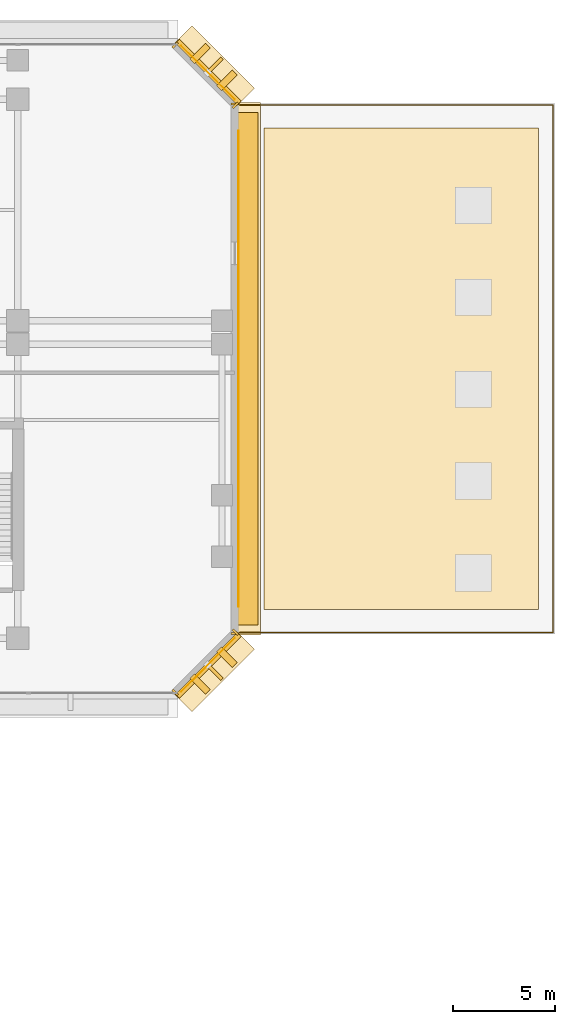
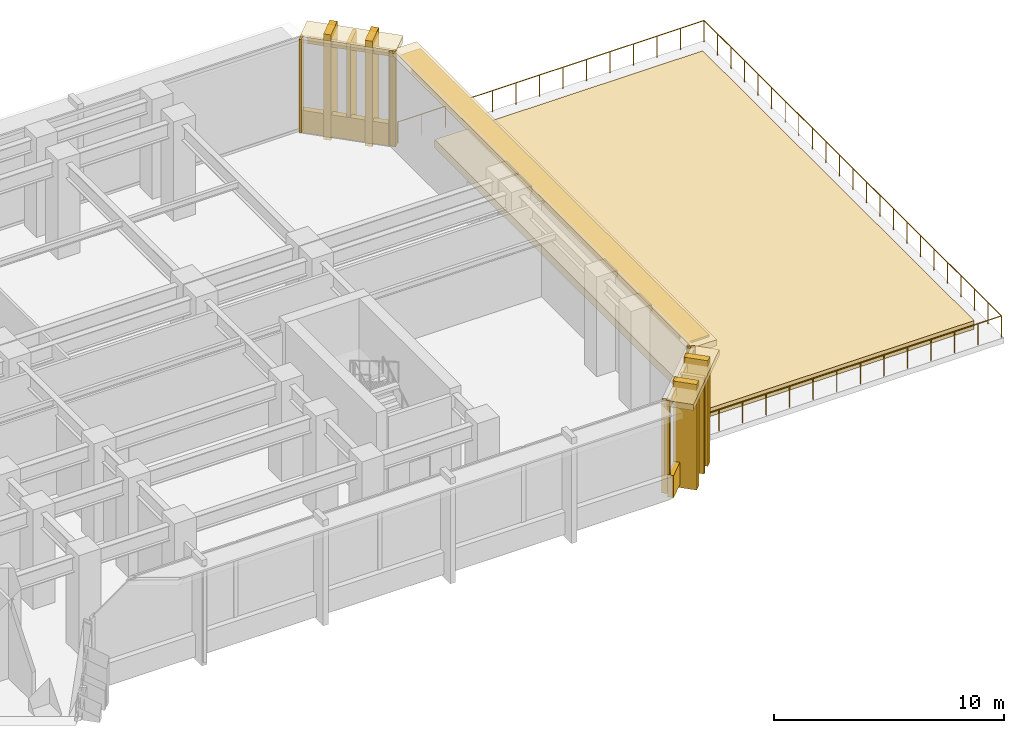
# One storey, part 16 of 16: 19 coverings, 3 shading devices, 1 railing.
"""IFC4 building model written with IfcOpenShell, lengths in metres."""

from ifc_helpers import new_model, si_unit, direction, frame, origin, origin_2d, place, context, subcontext, project, spatial, polyline, rectangle, circle, outline, extrude, material, layer, layer_set, material_profile, profile_set, type_object, element, save


model = new_model("IFC4")

# Units and contexts
model_context = context("Model", 3, precision=1e-05, world=origin(), true_north=direction((0.0, 1.0)))
body_context = subcontext(model_context, "Body", "Model", "MODEL_VIEW")
ifc_project = project(units=[si_unit("LENGTHUNIT", "METRE"), si_unit("AREAUNIT", "SQUARE_METRE"), si_unit("VOLUMEUNIT", "CUBIC_METRE"), si_unit("PLANEANGLEUNIT", "RADIAN"), si_unit("MASSUNIT", "GRAM", prefix="KILO")], contexts=[model_context])

# Site, building, storey
site_placement = place(None, origin())
site = spatial("IfcSite", under=ifc_project, at=site_placement, CompositionType="ELEMENT")
building_placement = place(site_placement, origin())
building = spatial("IfcBuilding", under=site, at=building_placement, Name="Kefirva Bronze Tower", CompositionType="ELEMENT")
storey_placement = place(building_placement, frame((0.0, 0.0, 11.219970703125)))
storey = spatial("IfcBuildingStorey", under=building, at=storey_placement, Name="L02", CompositionType="ELEMENT", Elevation=11.219970703125)

# Coverings
ifc_material_1 = material(Name="Bronze anodised aluminium", Category="aluminium")
ifc_layer_1 = layer(ifc_material_1, 0.02001953125, Name="Bronze anodised aluminium")
ifc_layer_set_1 = layer_set([ifc_layer_1], Name="Bronze anodised aluminium")
covering_type_1 = type_object("IfcCoveringType", Name="Anodised Bronze Spandrel Cladding 20mm", PredefinedType="CLADDING", material=ifc_layer_set_1)
covering_1_placement = place(storey_placement, frame((64.507080078125, 17.492919921875, 4.5400390625), z_axis=(0.0, 0.0, 1.0), x_axis=(0.707106781187, 0.707106781187, 0.0)))
element("IfcCovering", 1, at=covering_1_placement, inside=storey, type_object=covering_type_1, Name="L02 Bronze Spandrel Cladding 4", PredefinedType="CLADDING", context=body_context, shape_type="SweptSolid", body=[
    extrude(rectangle(XDim=3.719482421875, YDim=0.02001953125, at=origin_2d()), origin(), (0.0, 0.0, 1.0), 0.39990234375),
])
for number, where, z_axis, x_axis, name in (
    (2, (62.8974609375, 16.152099609375, 0.0), (0.0, 0.0, 1.0), (0.707106781187, 0.707106781187, 0.0), "L02 Facade Joint Closure Panel 4S"),
    (3, (65.847900390625, 19.1025390625, 0.0), (0.0, 0.0, 1.0), (0.707106781187, 0.707106781187, 0.0), "L02 Facade Joint Closure Panel 4E"),
):
    element("IfcCovering", number, at=place(storey_placement, frame(where, z_axis=z_axis, x_axis=x_axis)), inside=storey, type_object=covering_type_1, Name=name, PredefinedType="CLADDING", context=body_context, shape_type="SweptSolid", body=[
        extrude(rectangle(XDim=0.10009765625, YDim=0.360107421875, at=origin_2d()), origin(), (0.0, 0.0, 1.0), 4.9599609375),
    ])
covering_2_placement = place(storey_placement, frame((64.5283203125, 17.4716796875, -0.16015625), z_axis=(0.0, 0.0, 1.0), x_axis=(0.707106781187, 0.707106781187, 0.0)))
element("IfcCovering", 4, at=covering_2_placement, inside=storey, type_object=covering_type_1, Name="L02 Streamline Horizontal Spandrel Band 5", PredefinedType="CLADDING", context=body_context, shape_type="SweptSolid", body=[
    extrude(rectangle(XDim=4.28271484375, YDim=0.280029296875, at=origin_2d()), origin(), (0.0, 0.0, 1.0), 1.179931640625),
])
covering_3_placement = place(storey_placement, frame((66.010009765625, 32.0, 4.5400390625), z_axis=(0.0, 0.0, 1.0), x_axis=(0.0, 1.0, 0.0)))
element("IfcCovering", 5, at=covering_3_placement, inside=storey, type_object=covering_type_1, Name="L02 Bronze Spandrel Cladding 5", PredefinedType="CLADDING", context=body_context, shape_type="SweptSolid", body=[
    extrude(rectangle(XDim=23.301025390625, YDim=0.02001953125, at=origin_2d()), origin(), (0.0, 0.0, 1.0), 0.39990234375),
])
for number, where, z_axis, x_axis, name in (
    (6, (65.820068359375, 19.034912109375, 0.0), (0.0, 0.0, 1.0), (0.0, 1.0, 0.0), "L02 Facade Joint Closure Panel 5S"),
    (7, (65.820068359375, 44.965087890625, 0.0), (0.0, 0.0, 1.0), (0.0, 1.0, 0.0), "L02 Facade Joint Closure Panel 5E"),
):
    element("IfcCovering", number, at=place(storey_placement, frame(where, z_axis=z_axis, x_axis=x_axis)), inside=storey, type_object=covering_type_1, Name=name, PredefinedType="CLADDING", context=body_context, shape_type="SweptSolid", body=[
        extrude(rectangle(XDim=0.10009765625, YDim=0.360107421875, at=origin_2d()), origin(), (0.0, 0.0, 1.0), 4.9599609375),
    ])
covering_4_placement = place(storey_placement, frame((64.507080078125, 46.507080078125, 4.5400390625), z_axis=(0.0, 0.0, 1.0), x_axis=(-0.707106781187, 0.707106781187, 0.0)))
element("IfcCovering", 8, at=covering_4_placement, inside=storey, type_object=covering_type_1, Name="L02 Bronze Spandrel Cladding 6", PredefinedType="CLADDING", context=body_context, shape_type="SweptSolid", body=[
    extrude(rectangle(XDim=3.719482421875, YDim=0.02001953125, at=origin_2d()), origin(), (0.0, 0.0, 1.0), 0.39990234375),
])
for number, where, z_axis, x_axis, name in (
    (9, (65.847900390625, 44.8974609375, 0.0), (0.0, 0.0, 1.0), (-0.707106781187, 0.707106781187, 0.0), "L02 Facade Joint Closure Panel 6S"),
    (10, (62.8974609375, 47.847900390625, 0.0), (0.0, 0.0, 1.0), (-0.707106781187, 0.707106781187, 0.0), "L02 Facade Joint Closure Panel 6E"),
):
    element("IfcCovering", number, at=place(storey_placement, frame(where, z_axis=z_axis, x_axis=x_axis)), inside=storey, type_object=covering_type_1, Name=name, PredefinedType="CLADDING", context=body_context, shape_type="SweptSolid", body=[
        extrude(rectangle(XDim=0.10009765625, YDim=0.360107421875, at=origin_2d()), origin(), (0.0, 0.0, 1.0), 4.9599609375),
    ])
covering_5_placement = place(storey_placement, frame((64.5283203125, 46.5283203125, -0.16015625), z_axis=(0.0, 0.0, 1.0), x_axis=(-0.707106781187, 0.707106781187, 0.0)))
element("IfcCovering", 11, at=covering_5_placement, inside=storey, type_object=covering_type_1, Name="L02 Streamline Horizontal Spandrel Band 7", PredefinedType="CLADDING", context=body_context, shape_type="SweptSolid", body=[
    extrude(rectangle(XDim=4.28271484375, YDim=0.280029296875, at=origin_2d()), origin(), (0.0, 0.0, 1.0), 1.179931640625),
])

# Shading devices
ifc_material_profile = material_profile(ifc_material_1, rectangle(XDim=0.179931640625, YDim=1.080078125, at=origin_2d()), Name="BRONZE BUTTRESS FIN 180x1080")
ifc_profile_set = profile_set([ifc_material_profile], Name="Bronze anodised aluminium")
shading_device_type_1 = type_object("IfcShadingDeviceType", Name="Chamfered Corner Buttress Bronze Fin 1080mm", PredefinedType="USERDEFINED", material=ifc_profile_set)
for number, where, z_axis, x_axis, name in (
    (12, (64.8251953125, 17.1748046875, -0.139892578125), (0.0, 0.0, 1.0), (0.707106781187, 0.707106781187, 0.0), "L02 Chamfered Corner Buttress Fin 16"),
    (13, (64.8251953125, 46.8251953125, -0.139892578125), (0.0, 0.0, 1.0), (-0.707106781187, 0.707106781187, 0.0), "L02 Chamfered Corner Buttress Fin 18"),
):
    element("IfcShadingDevice", number, at=place(storey_placement, frame(where, z_axis=z_axis, x_axis=x_axis)), inside=storey, type_object=shading_device_type_1, Name=name, ObjectType="VERTICAL FIN", PredefinedType="USERDEFINED", context=body_context, shape_type="SweptSolid", body=[
        extrude(rectangle(XDim=0.179931640625, YDim=1.080078125, at=origin_2d()), origin(), (0.0, 0.0, 1.0), 5.099853515625),
    ])

# Railing
railing_type = type_object("IfcRailingType", Name="Exterior Ship-Deck Terrace Guardrail 1150mm", PredefinedType="GUARDRAIL", material=ifc_material_1)
railing_placement = place(storey_placement, frame((66.070068359375, 19.080078125, 0.0)))
element("IfcRailing", 14, at=railing_placement, inside=storey, type_object=railing_type, Name="L02 Terrace Perimeter Guardrail", PredefinedType="GUARDRAIL", context=body_context, shape_type="SweptSolid", body=[
    extrude(circle(Radius=0.02392578125, at=origin_2d()), frame((0.0, 0.0, 1.1259765625), z_axis=(1.0, 0.0, 0.0), x_axis=(0.0, 1.0, 0.0)), (0.0, 0.0, 1.0), 15.349853515625),
    extrude(circle(Radius=0.02392578125, at=origin_2d()), frame((15.349853515625, 0.0, 1.1259765625), z_axis=(0.0, 1.0, 0.0), x_axis=(-1.0, 0.0, 0.0)), (0.0, 0.0, 1.0), 25.83984375),
    extrude(circle(Radius=0.02392578125, at=origin_2d()), frame((15.349853515625, 25.83984375, 1.1259765625), z_axis=(-1.0, 0.0, 0.0), x_axis=(0.0, -1.0, 0.0)), (0.0, 0.0, 1.0), 15.349853515625),
    extrude(circle(Radius=0.02099609375, at=origin_2d()), origin(), (0.0, 0.0, 1.0), 1.101806640625),
    extrude(circle(Radius=0.02099609375, at=origin_2d()), frame((1.1806640625, 0.0, 0.0)), (0.0, 0.0, 1.0), 1.101806640625),
    extrude(circle(Radius=0.02099609375, at=origin_2d()), frame((2.361572265625, 0.0, 0.0)), (0.0, 0.0, 1.0), 1.101806640625),
    extrude(circle(Radius=0.02099609375, at=origin_2d()), frame((3.542236328125, 0.0, 0.0)), (0.0, 0.0, 1.0), 1.101806640625),
    extrude(circle(Radius=0.02099609375, at=origin_2d()), frame((4.72314453125, 0.0, 0.0)), (0.0, 0.0, 1.0), 1.101806640625),
    extrude(circle(Radius=0.02099609375, at=origin_2d()), frame((5.90380859375, 0.0, 0.0)), (0.0, 0.0, 1.0), 1.101806640625),
    extrude(circle(Radius=0.02099609375, at=origin_2d()), frame((7.08447265625, 0.0, 0.0)), (0.0, 0.0, 1.0), 1.101806640625),
    extrude(circle(Radius=0.02099609375, at=origin_2d()), frame((8.265380859375, 0.0, 0.0)), (0.0, 0.0, 1.0), 1.101806640625),
    extrude(circle(Radius=0.02099609375, at=origin_2d()), frame((9.446044921875, 0.0, 0.0)), (0.0, 0.0, 1.0), 1.101806640625),
    extrude(circle(Radius=0.02099609375, at=origin_2d()), frame((10.626708984375, 0.0, 0.0)), (0.0, 0.0, 1.0), 1.101806640625),
    extrude(circle(Radius=0.02099609375, at=origin_2d()), frame((11.8076171875, 0.0, 0.0)), (0.0, 0.0, 1.0), 1.101806640625),
    extrude(circle(Radius=0.02099609375, at=origin_2d()), frame((12.98828125, 0.0, 0.0)), (0.0, 0.0, 1.0), 1.101806640625),
    extrude(circle(Radius=0.02099609375, at=origin_2d()), frame((14.169189453125, 0.0, 0.0)), (0.0, 0.0, 1.0), 1.101806640625),
    extrude(circle(Radius=0.02099609375, at=origin_2d()), frame((15.349853515625, 0.0, 0.0)), (0.0, 0.0, 1.0), 1.101806640625),
    extrude(circle(Radius=0.02099609375, at=origin_2d()), frame((15.349853515625, 1.174560546875, 0.0)), (0.0, 0.0, 1.0), 1.101806640625),
    extrude(circle(Radius=0.02099609375, at=origin_2d()), frame((15.349853515625, 2.34912109375, 0.0)), (0.0, 0.0, 1.0), 1.101806640625),
    extrude(circle(Radius=0.02099609375, at=origin_2d()), frame((15.349853515625, 3.523681640625, 0.0)), (0.0, 0.0, 1.0), 1.101806640625),
    extrude(circle(Radius=0.02099609375, at=origin_2d()), frame((15.349853515625, 4.6982421875, 0.0)), (0.0, 0.0, 1.0), 1.101806640625),
    extrude(circle(Radius=0.02099609375, at=origin_2d()), frame((15.349853515625, 5.872802734375, 0.0)), (0.0, 0.0, 1.0), 1.101806640625),
    extrude(circle(Radius=0.02099609375, at=origin_2d()), frame((15.349853515625, 7.047119140625, 0.0)), (0.0, 0.0, 1.0), 1.101806640625),
    extrude(circle(Radius=0.02099609375, at=origin_2d()), frame((15.349853515625, 8.2216796875, 0.0)), (0.0, 0.0, 1.0), 1.101806640625),
    extrude(circle(Radius=0.02099609375, at=origin_2d()), frame((15.349853515625, 9.396240234375, 0.0)), (0.0, 0.0, 1.0), 1.101806640625),
    extrude(circle(Radius=0.02099609375, at=origin_2d()), frame((15.349853515625, 10.57080078125, 0.0)), (0.0, 0.0, 1.0), 1.101806640625),
    extrude(circle(Radius=0.02099609375, at=origin_2d()), frame((15.349853515625, 11.745361328125, 0.0)), (0.0, 0.0, 1.0), 1.101806640625),
    extrude(circle(Radius=0.02099609375, at=origin_2d()), frame((15.349853515625, 12.919921875, 0.0)), (0.0, 0.0, 1.0), 1.101806640625),
    extrude(circle(Radius=0.02099609375, at=origin_2d()), frame((15.349853515625, 14.094482421875, 0.0)), (0.0, 0.0, 1.0), 1.101806640625),
    extrude(circle(Radius=0.02099609375, at=origin_2d()), frame((15.349853515625, 15.26904296875, 0.0)), (0.0, 0.0, 1.0), 1.101806640625),
    extrude(circle(Radius=0.02099609375, at=origin_2d()), frame((15.349853515625, 16.443603515625, 0.0)), (0.0, 0.0, 1.0), 1.101806640625),
    extrude(circle(Radius=0.02099609375, at=origin_2d()), frame((15.349853515625, 17.6181640625, 0.0)), (0.0, 0.0, 1.0), 1.101806640625),
    extrude(circle(Radius=0.02099609375, at=origin_2d()), frame((15.349853515625, 18.792724609375, 0.0)), (0.0, 0.0, 1.0), 1.101806640625),
    extrude(circle(Radius=0.02099609375, at=origin_2d()), frame((15.349853515625, 19.967041015625, 0.0)), (0.0, 0.0, 1.0), 1.101806640625),
    extrude(circle(Radius=0.02099609375, at=origin_2d()), frame((15.349853515625, 21.1416015625, 0.0)), (0.0, 0.0, 1.0), 1.101806640625),
    extrude(circle(Radius=0.02099609375, at=origin_2d()), frame((15.349853515625, 22.316162109375, 0.0)), (0.0, 0.0, 1.0), 1.101806640625),
    extrude(circle(Radius=0.02099609375, at=origin_2d()), frame((15.349853515625, 23.49072265625, 0.0)), (0.0, 0.0, 1.0), 1.101806640625),
    extrude(circle(Radius=0.02099609375, at=origin_2d()), frame((15.349853515625, 24.665283203125, 0.0)), (0.0, 0.0, 1.0), 1.101806640625),
    extrude(circle(Radius=0.02099609375, at=origin_2d()), frame((15.349853515625, 25.83984375, 0.0)), (0.0, 0.0, 1.0), 1.101806640625),
    extrude(circle(Radius=0.02099609375, at=origin_2d()), frame((14.169189453125, 25.83984375, 0.0)), (0.0, 0.0, 1.0), 1.101806640625),
    extrude(circle(Radius=0.02099609375, at=origin_2d()), frame((12.98828125, 25.83984375, 0.0)), (0.0, 0.0, 1.0), 1.101806640625),
    extrude(circle(Radius=0.02099609375, at=origin_2d()), frame((11.8076171875, 25.83984375, 0.0)), (0.0, 0.0, 1.0), 1.101806640625),
    extrude(circle(Radius=0.02099609375, at=origin_2d()), frame((10.626708984375, 25.83984375, 0.0)), (0.0, 0.0, 1.0), 1.101806640625),
    extrude(circle(Radius=0.02099609375, at=origin_2d()), frame((9.446044921875, 25.83984375, 0.0)), (0.0, 0.0, 1.0), 1.101806640625),
    extrude(circle(Radius=0.02099609375, at=origin_2d()), frame((8.265380859375, 25.83984375, 0.0)), (0.0, 0.0, 1.0), 1.101806640625),
    extrude(circle(Radius=0.02099609375, at=origin_2d()), frame((7.08447265625, 25.83984375, 0.0)), (0.0, 0.0, 1.0), 1.101806640625),
    extrude(circle(Radius=0.02099609375, at=origin_2d()), frame((5.90380859375, 25.83984375, 0.0)), (0.0, 0.0, 1.0), 1.101806640625),
    extrude(circle(Radius=0.02099609375, at=origin_2d()), frame((4.72314453125, 25.83984375, 0.0)), (0.0, 0.0, 1.0), 1.101806640625),
    extrude(circle(Radius=0.02099609375, at=origin_2d()), frame((3.542236328125, 25.83984375, 0.0)), (0.0, 0.0, 1.0), 1.101806640625),
    extrude(circle(Radius=0.02099609375, at=origin_2d()), frame((2.361572265625, 25.83984375, 0.0)), (0.0, 0.0, 1.0), 1.101806640625),
    extrude(circle(Radius=0.02099609375, at=origin_2d()), frame((1.1806640625, 25.83984375, 0.0)), (0.0, 0.0, 1.0), 1.101806640625),
    extrude(circle(Radius=0.02099609375, at=origin_2d()), frame((0.0, 25.83984375, 0.0)), (0.0, 0.0, 1.0), 1.101806640625),
])

# Shading device
ifc_layer_2 = layer(ifc_material_1, 0.1201171875, Name="Bronze anodised aluminium")
ifc_layer_set_2 = layer_set([ifc_layer_2], Name="Bronze anodised aluminium")
shading_device_type_2 = type_object("IfcShadingDeviceType", Name="Podium Deep Bronze Canopy Sunshade 1050mm", PredefinedType="JALOUSIE", material=ifc_layer_set_2)
shading_device_placement = place(storey_placement, frame((66.445068359375, 32.0, 4.85498046875), z_axis=(0.0, 0.0, 1.0), x_axis=(0.0, 1.0, 0.0)))
element("IfcShadingDevice", 15, at=shading_device_placement, inside=storey, type_object=shading_device_type_2, Name="L02 Horizontal Bronze Sunshade Band 6", PredefinedType="JALOUSIE", context=body_context, shape_type="SweptSolid", body=[
    extrude(rectangle(XDim=25.090087890625, YDim=1.050048828125, at=origin_2d()), origin(), (0.0, 0.0, 1.0), 0.090087890625),
])

# Coverings
ifc_material_2 = material(Name="Planted sky-garden soil substrate")
ifc_layer_3 = layer(ifc_material_2, 0.449951171875, Name="Planted sky-garden soil substrate")
ifc_layer_set_3 = layer_set([ifc_layer_3], Name="Planted sky-garden soil substrate")
covering_type_2 = type_object("IfcCoveringType", Name="Sky-Garden Planted Substrate Bed 450mm", PredefinedType="USERDEFINED", material=ifc_layer_set_3)
covering_6_placement = place(storey_placement, origin())
element("IfcCovering", 16, at=covering_6_placement, inside=storey, type_object=covering_type_2, Name="L02 Sky-Garden Planter Bed", ObjectType="PLANTER", PredefinedType="USERDEFINED", context=body_context, shape_type="SweptSolid", body=[
    extrude(outline(polyline([(67.25, 20.199951171875), (80.699951171875, 20.199951171875), (80.699951171875, 43.800048828125), (67.25, 43.800048828125), (67.25, 20.199951171875)])), origin(), (0.0, 0.0, 1.0), 0.449951171875),
])
ifc_layer_4 = layer(ifc_material_1, 0.179931640625, Name="Bronze anodised aluminium")
ifc_layer_set_4 = layer_set([ifc_layer_4], Name="Bronze anodised aluminium")
covering_type_3 = type_object("IfcCoveringType", Name="Streamline Bronze Sunshade Eyebrow Cladding 180mm", PredefinedType="CLADDING", material=ifc_layer_set_4)
covering_7_placement = place(storey_placement, frame((64.8251953125, 17.1748046875, 4.64013671875), z_axis=(0.0, 0.0, 1.0), x_axis=(0.707106781187, 0.707106781187, 0.0)))
element("IfcCovering", 17, at=covering_7_placement, inside=storey, type_object=covering_type_3, Name="L02 Streamline Bronze Sunshade Eyebrow 5", PredefinedType="CLADDING", context=body_context, shape_type="SweptSolid", body=[
    extrude(rectangle(XDim=4.322509765625, YDim=1.239990234375, at=origin_2d()), origin(), (0.0, 0.0, 1.0), 0.320068359375),
])
covering_8_placement = place(storey_placement, frame((66.4599609375, 32.0, 4.64013671875), z_axis=(0.0, 0.0, 1.0), x_axis=(0.0, 1.0, 0.0)))
element("IfcCovering", 18, at=covering_8_placement, inside=storey, type_object=covering_type_3, Name="L02 Streamline Bronze Sunshade Eyebrow 6", PredefinedType="CLADDING", context=body_context, shape_type="SweptSolid", body=[
    extrude(rectangle(XDim=26.080078125, YDim=1.239990234375, at=origin_2d()), origin(), (0.0, 0.0, 1.0), 0.320068359375),
])
covering_9_placement = place(storey_placement, frame((64.8251953125, 46.8251953125, 4.64013671875), z_axis=(0.0, 0.0, 1.0), x_axis=(-0.707106781187, 0.707106781187, 0.0)))
element("IfcCovering", 19, at=covering_9_placement, inside=storey, type_object=covering_type_3, Name="L02 Streamline Bronze Sunshade Eyebrow 7", PredefinedType="CLADDING", context=body_context, shape_type="SweptSolid", body=[
    extrude(rectangle(XDim=4.322509765625, YDim=1.239990234375, at=origin_2d()), origin(), (0.0, 0.0, 1.0), 0.320068359375),
])
ifc_layer_5 = layer(ifc_material_1, 0.260009765625, Name="Bronze anodised aluminium")
ifc_layer_set_5 = layer_set([ifc_layer_5], Name="Bronze anodised aluminium")
covering_type_4 = type_object("IfcCoveringType", Name="Unbroken Bronze Buttress Fin Cladding 260mm", PredefinedType="CLADDING", material=ifc_layer_set_5)
for number, where, z_axis, x_axis, name in (
    (20, (64.122802734375, 16.55712890625, -0.320068359375), (0.0, 0.0, 1.0), (0.707106781187, 0.707106781187, 0.0), "L02 Chamfered Corner Buttress Fin Cladding 15"),
    (21, (65.44287109375, 17.877197265625, -0.320068359375), (0.0, 0.0, 1.0), (0.707106781187, 0.707106781187, 0.0), "L02 Chamfered Corner Buttress Fin Cladding 16"),
    (22, (65.44287109375, 46.122802734375, -0.320068359375), (0.0, 0.0, 1.0), (-0.707106781187, 0.707106781187, 0.0), "L02 Chamfered Corner Buttress Fin Cladding 17"),
    (23, (64.122802734375, 47.44287109375, -0.320068359375), (0.0, 0.0, 1.0), (-0.707106781187, 0.707106781187, 0.0), "L02 Chamfered Corner Buttress Fin Cladding 18"),
):
    element("IfcCovering", number, at=place(storey_placement, frame(where, z_axis=z_axis, x_axis=x_axis)), inside=storey, type_object=covering_type_4, Name=name, PredefinedType="CLADDING", context=body_context, shape_type="SweptSolid", body=[
        extrude(rectangle(XDim=0.340087890625, YDim=1.080078125, at=origin_2d()), origin(), (0.0, 0.0, 1.0), 5.60009765625),
    ])

save(model, "model.ifc")
